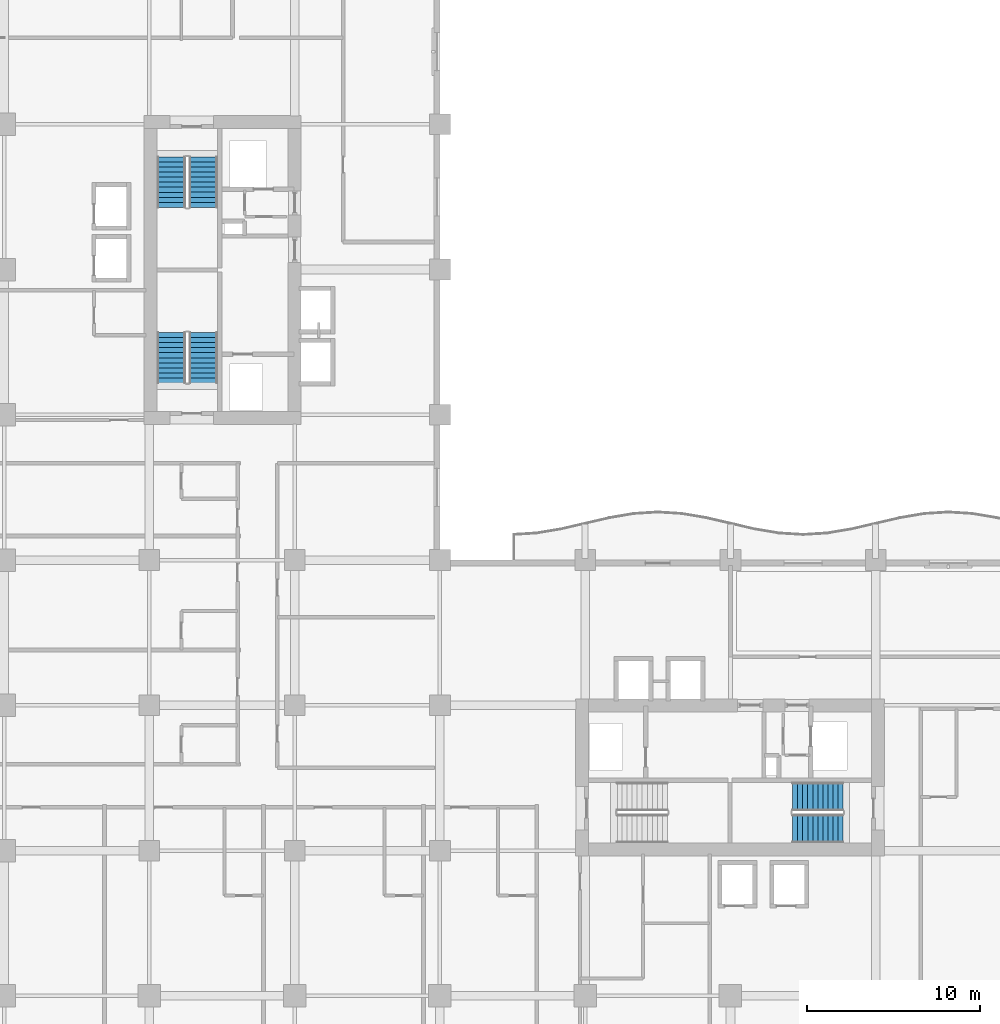
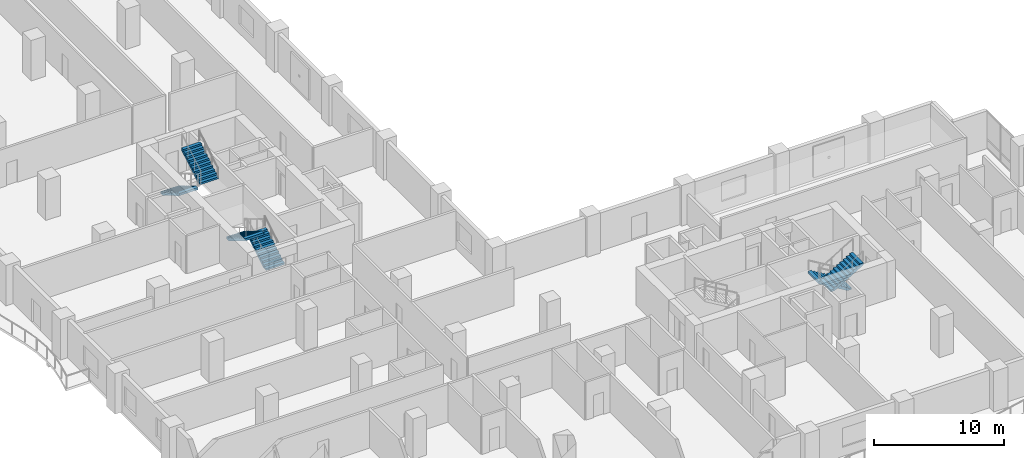
# One storey, part 17 of 23: 6 stair flights, 3 elements without a shape of their own.
"""IFC4 building model written with IfcOpenShell, lengths in metres."""

from ifc_helpers import new_model, si_unit, direction, frame, origin, place, context, subcontext, project, spatial, polyline, outline, extrude, material, type_object, element, aggregate, save


model = new_model("IFC4")

# Units and contexts
model_context = context("Model", 3, precision=1e-05, world=origin(), true_north=direction((0.0, 1.0)))
body_context = subcontext(model_context, "Body", "Model", "MODEL_VIEW")
ifc_project = project(units=[si_unit("LENGTHUNIT", "METRE"), si_unit("AREAUNIT", "SQUARE_METRE"), si_unit("VOLUMEUNIT", "CUBIC_METRE"), si_unit("PLANEANGLEUNIT", "RADIAN"), si_unit("MASSUNIT", "GRAM", prefix="KILO")], contexts=[model_context])

# Site, building, storey
site_placement = place(None, origin())
site = spatial("IfcSite", under=ifc_project, at=site_placement, CompositionType="ELEMENT")
building_placement = place(site_placement, origin())
building = spatial("IfcBuilding", under=site, at=building_placement, Name="Koriwani Terraces Tower", CompositionType="ELEMENT")
storey_placement = place(building_placement, frame((0.0, 0.0, 119.0)))
storey = spatial("IfcBuildingStorey", under=building, at=storey_placement, Name="L28", CompositionType="ELEMENT", Elevation=119.0)

# Stair, stair flights
ifc_material = material(Name="Concrete C40/50", Category="concrete")
stair_type = type_object("IfcStairType", Name="STAIR_CORE_DOGLEG_1650", PredefinedType="TWO_STRAIGHT_RUN_STAIR", material=ifc_material)
stair_1_placement = place(storey_placement, origin())
stair_1 = element("IfcStair", 1, at=stair_1_placement, inside=storey, type_object=stair_type, Name="L28 West Core Exit Stair 1", PredefinedType="HALF_TURN_STAIR")
stair_flight_type = type_object("IfcStairFlightType", Name="STAIR_FLIGHT_RC_1650", PredefinedType="STRAIGHT", material=ifc_material)
stair_flight_1_placement = place(storey_placement, frame((19.925048828125, 43.85009765625, 0.0), z_axis=(0.0, 0.0, 1.0), x_axis=(0.0, 1.0, 0.0)))
stair_flight_1 = element("IfcStairFlight", 2, at=stair_flight_1_placement, type_object=stair_flight_type, Name="ST-W1 flight 1", NumberOfRisers=11, NumberOfTreads=10, PredefinedType="STRAIGHT", RiserHeight=0.172727273, TreadLength=0.29, context=body_context, shape_type="SweptSolid", body=[
    extrude(outline(polyline([(0.0, 0.0), (0.0, 0.172607421875), (0.2900390625, 0.172607421875), (0.2900390625, 0.345458984375), (0.580078125, 0.345458984375), (0.580078125, 0.51806640625), (0.8701171875, 0.51806640625), (0.8701171875, 0.69091796875), (1.159912109375, 0.69091796875), (1.159912109375, 0.863525390625), (1.449951171875, 0.863525390625), (1.449951171875, 1.036376953125), (1.739990234375, 1.036376953125), (1.739990234375, 1.208984375), (2.030029296875, 1.208984375), (2.030029296875, 1.3818359375), (2.320068359375, 1.3818359375), (2.320068359375, 1.554443359375), (2.610107421875, 1.554443359375), (2.610107421875, 1.727294921875), (2.89990234375, 1.727294921875), (2.89990234375, 1.89990234375), (2.89990234375, 1.517822265625), (0.3515625, 0.0), (0.0, 0.0)])), frame((0.0, 0.824951171875, 0.0), z_axis=(0.0, -1.0, 0.0), x_axis=(1.0, 0.0, 0.0)), (0.0, 0.0, 1.0), 1.64990234375),
])
stair_flight_2_placement = place(storey_placement, frame((18.074951171875, 46.75, 1.89990234375), z_axis=(0.0, 0.0, 1.0), x_axis=(0.0, -1.0, 0.0)))
stair_flight_2 = element("IfcStairFlight", 3, at=stair_flight_2_placement, type_object=stair_flight_type, Name="ST-W1 flight 2", NumberOfRisers=11, NumberOfTreads=10, PredefinedType="STRAIGHT", RiserHeight=0.172727273, TreadLength=0.29, context=body_context, shape_type="SweptSolid", body=[
    extrude(outline(polyline([(0.0, 0.0), (0.0, 0.172607421875), (0.2900390625, 0.172607421875), (0.2900390625, 0.345458984375), (0.580078125, 0.345458984375), (0.580078125, 0.51806640625), (0.8701171875, 0.51806640625), (0.8701171875, 0.69091796875), (1.159912109375, 0.69091796875), (1.159912109375, 0.863525390625), (1.449951171875, 0.863525390625), (1.449951171875, 1.036376953125), (1.739990234375, 1.036376953125), (1.739990234375, 1.208984375), (2.030029296875, 1.208984375), (2.030029296875, 1.3818359375), (2.320068359375, 1.3818359375), (2.320068359375, 1.554443359375), (2.610107421875, 1.554443359375), (2.610107421875, 1.727294921875), (2.89990234375, 1.727294921875), (2.89990234375, 1.89990234375), (2.89990234375, 1.517822265625), (0.3515625, 0.0), (0.0, 0.0)])), frame((0.0, 0.824951171875, 0.0), z_axis=(0.0, -1.0, 0.0), x_axis=(1.0, 0.0, 0.0)), (0.0, 0.0, 1.0), 1.64990234375),
])
aggregate(stair_1, [stair_flight_1, stair_flight_2])

stair_2_placement = place(storey_placement, origin())
stair_2 = element("IfcStair", 4, at=stair_2_placement, inside=storey, type_object=stair_type, Name="L28 West Core Exit Stair 2", PredefinedType="HALF_TURN_STAIR")
stair_flight_3_placement = place(storey_placement, frame((18.074951171875, 56.89990234375, 0.0), z_axis=(0.0, 0.0, 1.0), x_axis=(0.0, -1.0, 0.0)))
stair_flight_3 = element("IfcStairFlight", 5, at=stair_flight_3_placement, type_object=stair_flight_type, Name="ST-W2 flight 1", NumberOfRisers=11, NumberOfTreads=10, PredefinedType="STRAIGHT", RiserHeight=0.172727273, TreadLength=0.29, context=body_context, shape_type="SweptSolid", body=[
    extrude(outline(polyline([(0.0, 0.0), (0.0, 0.172607421875), (0.2900390625, 0.172607421875), (0.2900390625, 0.345458984375), (0.580078125, 0.345458984375), (0.580078125, 0.51806640625), (0.8701171875, 0.51806640625), (0.8701171875, 0.69091796875), (1.159912109375, 0.69091796875), (1.159912109375, 0.863525390625), (1.449951171875, 0.863525390625), (1.449951171875, 1.036376953125), (1.739990234375, 1.036376953125), (1.739990234375, 1.208984375), (2.030029296875, 1.208984375), (2.030029296875, 1.3818359375), (2.320068359375, 1.3818359375), (2.320068359375, 1.554443359375), (2.610107421875, 1.554443359375), (2.610107421875, 1.727294921875), (2.89990234375, 1.727294921875), (2.89990234375, 1.89990234375), (2.89990234375, 1.517822265625), (0.3515625, 0.0), (0.0, 0.0)])), frame((0.0, 0.824951171875, 0.0), z_axis=(0.0, -1.0, 0.0), x_axis=(1.0, 0.0, 0.0)), (0.0, 0.0, 1.0), 1.64990234375),
])
stair_flight_4_placement = place(storey_placement, frame((19.925048828125, 54.0, 1.89990234375), z_axis=(0.0, 0.0, 1.0), x_axis=(0.0, 1.0, 0.0)))
stair_flight_4 = element("IfcStairFlight", 6, at=stair_flight_4_placement, type_object=stair_flight_type, Name="ST-W2 flight 2", NumberOfRisers=11, NumberOfTreads=10, PredefinedType="STRAIGHT", RiserHeight=0.172727273, TreadLength=0.29, context=body_context, shape_type="SweptSolid", body=[
    extrude(outline(polyline([(0.0, 0.0), (0.0, 0.172607421875), (0.2900390625, 0.172607421875), (0.2900390625, 0.345458984375), (0.580078125, 0.345458984375), (0.580078125, 0.51806640625), (0.8701171875, 0.51806640625), (0.8701171875, 0.69091796875), (1.159912109375, 0.69091796875), (1.159912109375, 0.863525390625), (1.449951171875, 0.863525390625), (1.449951171875, 1.036376953125), (1.739990234375, 1.036376953125), (1.739990234375, 1.208984375), (2.030029296875, 1.208984375), (2.030029296875, 1.3818359375), (2.320068359375, 1.3818359375), (2.320068359375, 1.554443359375), (2.610107421875, 1.554443359375), (2.610107421875, 1.727294921875), (2.89990234375, 1.727294921875), (2.89990234375, 1.89990234375), (2.89990234375, 1.517822265625), (0.3515625, 0.0), (0.0, 0.0)])), frame((0.0, 0.824951171875, 0.0), z_axis=(0.0, -1.0, 0.0), x_axis=(1.0, 0.0, 0.0)), (0.0, 0.0, 1.0), 1.64990234375),
])
aggregate(stair_2, [stair_flight_3, stair_flight_4])

stair_3_placement = place(storey_placement, origin())
stair_3 = element("IfcStair", 7, at=stair_3_placement, inside=storey, type_object=stair_type, Name="L28 East Core Exit Stair 2", PredefinedType="HALF_TURN_STAIR")
stair_flight_5_placement = place(storey_placement, frame((56.89990234375, 19.925048828125, 0.0), z_axis=(0.0, 0.0, 1.0), x_axis=(-1.0, 0.0, 0.0)))
stair_flight_5 = element("IfcStairFlight", 8, at=stair_flight_5_placement, type_object=stair_flight_type, Name="ST-E2 flight 1", NumberOfRisers=11, NumberOfTreads=10, PredefinedType="STRAIGHT", RiserHeight=0.172727273, TreadLength=0.29, context=body_context, shape_type="SweptSolid", body=[
    extrude(outline(polyline([(0.0, 0.0), (0.0, 0.172607421875), (0.2900390625, 0.172607421875), (0.2900390625, 0.345458984375), (0.580078125, 0.345458984375), (0.580078125, 0.51806640625), (0.8701171875, 0.51806640625), (0.8701171875, 0.69091796875), (1.159912109375, 0.69091796875), (1.159912109375, 0.863525390625), (1.449951171875, 0.863525390625), (1.449951171875, 1.036376953125), (1.739990234375, 1.036376953125), (1.739990234375, 1.208984375), (2.030029296875, 1.208984375), (2.030029296875, 1.3818359375), (2.320068359375, 1.3818359375), (2.320068359375, 1.554443359375), (2.610107421875, 1.554443359375), (2.610107421875, 1.727294921875), (2.89990234375, 1.727294921875), (2.89990234375, 1.89990234375), (2.89990234375, 1.517822265625), (0.3515625, 0.0), (0.0, 0.0)])), frame((0.0, 0.824951171875, 0.0), z_axis=(0.0, -1.0, 0.0), x_axis=(1.0, 0.0, 0.0)), (0.0, 0.0, 1.0), 1.64990234375),
])
stair_flight_6_placement = place(storey_placement, frame((54.0, 18.074951171875, 1.89990234375), z_axis=(0.0, 0.0, 1.0), x_axis=(1.0, 0.0, 0.0)))
stair_flight_6 = element("IfcStairFlight", 9, at=stair_flight_6_placement, type_object=stair_flight_type, Name="ST-E2 flight 2", NumberOfRisers=11, NumberOfTreads=10, PredefinedType="STRAIGHT", RiserHeight=0.172727273, TreadLength=0.29, context=body_context, shape_type="SweptSolid", body=[
    extrude(outline(polyline([(0.0, 0.0), (0.0, 0.172607421875), (0.2900390625, 0.172607421875), (0.2900390625, 0.345458984375), (0.580078125, 0.345458984375), (0.580078125, 0.51806640625), (0.8701171875, 0.51806640625), (0.8701171875, 0.69091796875), (1.159912109375, 0.69091796875), (1.159912109375, 0.863525390625), (1.449951171875, 0.863525390625), (1.449951171875, 1.036376953125), (1.739990234375, 1.036376953125), (1.739990234375, 1.208984375), (2.030029296875, 1.208984375), (2.030029296875, 1.3818359375), (2.320068359375, 1.3818359375), (2.320068359375, 1.554443359375), (2.610107421875, 1.554443359375), (2.610107421875, 1.727294921875), (2.89990234375, 1.727294921875), (2.89990234375, 1.89990234375), (2.89990234375, 1.517822265625), (0.3515625, 0.0), (0.0, 0.0)])), frame((0.0, 0.824951171875, 0.0), z_axis=(0.0, -1.0, 0.0), x_axis=(1.0, 0.0, 0.0)), (0.0, 0.0, 1.0), 1.64990234375),
])
aggregate(stair_3, [stair_flight_5, stair_flight_6])

save(model, "model.ifc")
